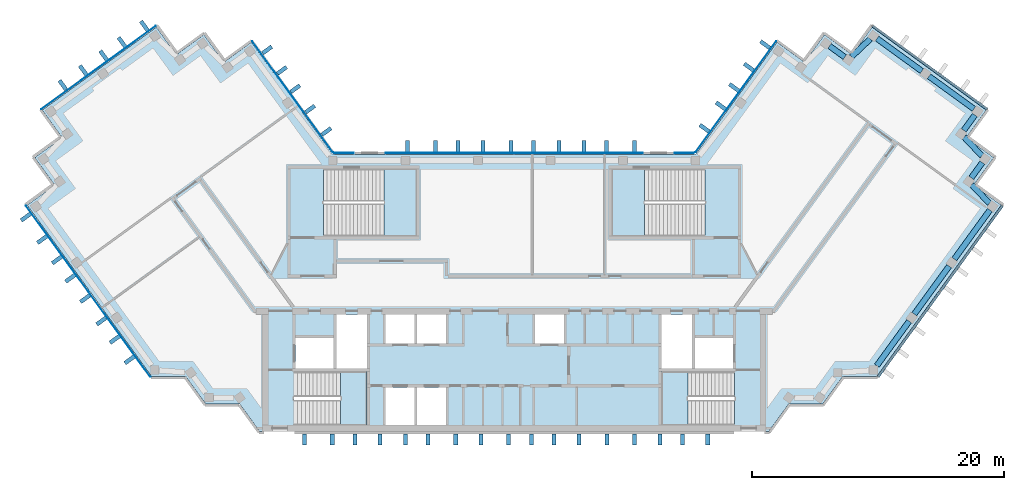
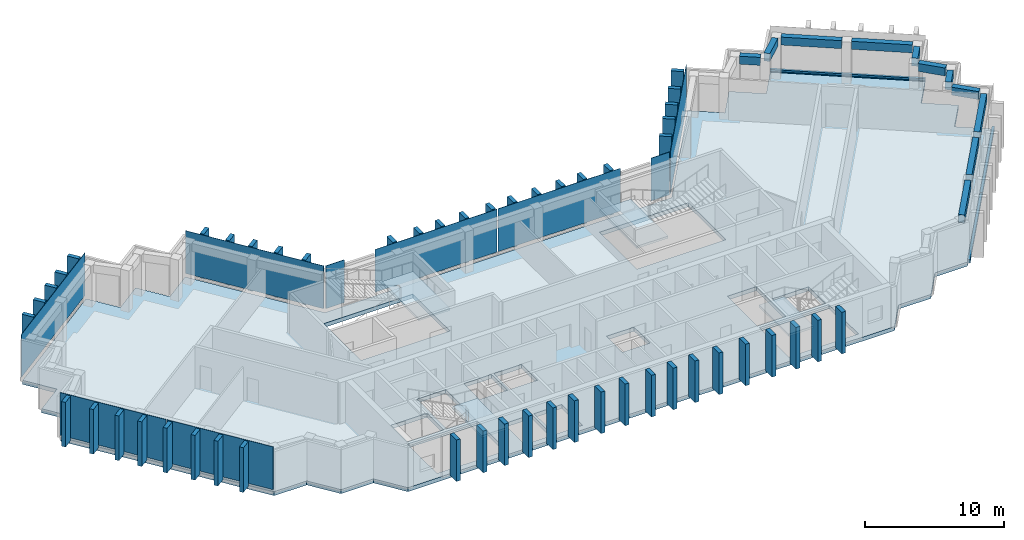
"""IFC4 building model written with IfcOpenShell, lengths in metres."""

from ifc_helpers import new_model, si_unit, direction, frame, origin, origin_2d, place, context, subcontext, project, spatial, polyline, rectangle, outline, extrude, material, layer, layer_set, material_profile, profile_set, type_object, element, aggregate, save


model = new_model("IFC4")

# Units and contexts
model_context = context("Model", 3, precision=1e-05, world=origin(), true_north=direction((0.0, 1.0)))
body_context = subcontext(model_context, "Body", "Model", "MODEL_VIEW")
ifc_project = project(units=[si_unit("LENGTHUNIT", "METRE"), si_unit("AREAUNIT", "SQUARE_METRE"), si_unit("VOLUMEUNIT", "CUBIC_METRE"), si_unit("PLANEANGLEUNIT", "RADIAN"), si_unit("MASSUNIT", "GRAM", prefix="KILO")], contexts=[model_context])

# Site, building, storey
site_placement = place(None, origin())
site = spatial("IfcSite", under=ifc_project, at=site_placement, CompositionType="ELEMENT")
building_placement = place(site_placement, origin())
building = spatial("IfcBuilding", under=site, at=building_placement, Name="Quipu Civic Tower", CompositionType="ELEMENT")
storey_1_placement = place(building_placement, frame((0.0, 0.0, 293.0)))
storey_1 = spatial("IfcBuildingStorey", under=building, at=storey_1_placement, Name="L68", CompositionType="ELEMENT", Elevation=293.0)

# Beams
ifc_material_1 = material(Name="Concrete C50/60", Category="concrete")
ifc_material_profile_1 = material_profile(ifc_material_1, rectangle(XDim=0.449951171875, YDim=0.699951171875, at=origin_2d()), Name="RC450x700")
ifc_profile_set_1 = profile_set([ifc_material_profile_1], Name="Concrete C50/60")
beam_type = type_object("IfcBeamType", Name="Spandrel beam RC 450x700 C50/60", PredefinedType="SPANDREL", material=ifc_profile_set_1)
beam_1_placement = place(storey_1_placement, frame((28.779296875, -5.780029296875, 3.300048828125), z_axis=(0.58777550284, 0.809024077677, 0.0), x_axis=(-0.809024077677, 0.58777550284, 0.0)))
element("IfcBeam", 1, at=beam_1_placement, inside=storey_1, type_object=beam_type, Name="Spandrel beam L68 J-Eo.4 to E-OUT-01", PredefinedType="SPANDREL", context=body_context, shape_type="SweptSolid", body=[
    extrude(rectangle(XDim=0.449951171875, YDim=0.699951171875, at=origin_2d()), origin(), (0.0, 0.0, 1.0), 4.36083984375),
])
beam_2_placement = place(storey_1_placement, frame((31.75390625, -1.685546875, 3.300048828125), z_axis=(0.587788656305, 0.809014521204, 0.0), x_axis=(-0.809014521204, 0.587788656305, 0.0)))
element("IfcBeam", 2, at=beam_2_placement, inside=storey_1, type_object=beam_type, Name="Spandrel beam L68 E-OUT-01 to E-OUT-02", PredefinedType="SPANDREL", context=body_context, shape_type="SweptSolid", body=[
    extrude(rectangle(XDim=0.449951171875, YDim=0.699951171875, at=origin_2d()), origin(), (0.0, 0.0, 1.0), 4.7001953125),
])
beam_3_placement = place(storey_1_placement, frame((34.927978515625, 2.68310546875, 3.300048828125), z_axis=(0.587905928359, 0.808929304328, 0.0), x_axis=(-0.808929304328, 0.587905928359, 0.0)))
element("IfcBeam", 3, at=beam_3_placement, inside=storey_1, type_object=beam_type, Name="Spandrel beam L68 E-OUT-02 to T-Eo.0-E22", PredefinedType="SPANDREL", context=body_context, shape_type="SweptSolid", body=[
    extrude(rectangle(XDim=0.449951171875, YDim=0.699951171875, at=origin_2d()), origin(), (0.0, 0.0, 1.0), 4.80712890625),
])
beam_4_placement = place(storey_1_placement, frame((37.71484375, 7.11279296875, 3.300048828125), z_axis=(-0.689175330605, 0.724594620244, 0.0), x_axis=(-0.724594620244, -0.689175330605, 0.0)))
element("IfcBeam", 4, at=beam_4_placement, inside=storey_1, type_object=beam_type, Name="Spandrel beam L68 T-Eo.0-E22 to T-Eo.1-E22", PredefinedType="SPANDREL", context=body_context, shape_type="SweptSolid", body=[
    extrude(rectangle(XDim=0.449951171875, YDim=0.699951171875, at=origin_2d()), origin(), (0.0, 0.0, 1.0), 2.033447265625),
])
beam_5_placement = place(storey_1_placement, frame((36.273681640625, 9.12744140625, 3.300048828125), z_axis=(0.587164895097, 0.809467347066, 0.0), x_axis=(-0.809467347066, 0.587164895097, 0.0)))
element("IfcBeam", 5, at=beam_5_placement, inside=storey_1, type_object=beam_type, Name="Spandrel beam L68 T-Eo.1-E22 to T-Eo.2-E22", PredefinedType="SPANDREL", context=body_context, shape_type="SweptSolid", body=[
    extrude(rectangle(XDim=0.449951171875, YDim=0.699951171875, at=origin_2d()), origin(), (0.0, 0.0, 1.0), 1.500244140625),
])
beam_6_placement = place(storey_1_placement, frame((37.114990234375, 10.88330078125, 3.300048828125), z_axis=(-0.688247466856, 0.725475998477, 0.0), x_axis=(-0.725475998477, -0.688247466856, 0.0)))
element("IfcBeam", 6, at=beam_6_placement, inside=storey_1, type_object=beam_type, Name="Spandrel beam L68 T-Eo.2-E22 to T-Eo.3-E22", PredefinedType="SPANDREL", context=body_context, shape_type="SweptSolid", body=[
    extrude(rectangle(XDim=0.449951171875, YDim=0.699951171875, at=origin_2d()), origin(), (0.0, 0.0, 1.0), 2.032958984375),
])
beam_7_placement = place(storey_1_placement, frame((35.6767578125, 12.8994140625, 3.300048828125), z_axis=(0.588345920092, 0.808609348394, 0.0), x_axis=(-0.808609348394, 0.588345920092, 0.0)))
element("IfcBeam", 7, at=beam_7_placement, inside=storey_1, type_object=beam_type, Name="Spandrel beam L68 T-Eo.3-E22 to T-Eo.4-E22", PredefinedType="SPANDREL", context=body_context, shape_type="SweptSolid", body=[
    extrude(rectangle(XDim=0.449951171875, YDim=0.699951171875, at=origin_2d()), origin(), (0.0, 0.0, 1.0), 1.499755859375),
])
beam_8_placement = place(storey_1_placement, frame((36.481689453125, 14.6005859375, 3.300048828125), z_axis=(-0.809117270763, 0.587647208921, 0.0), x_axis=(-0.587647208921, -0.809117270763, 0.0)))
element("IfcBeam", 8, at=beam_8_placement, inside=storey_1, type_object=beam_type, Name="Spandrel beam L68 T-Eo.4-E22 to TIP-E-01-E22", PredefinedType="SPANDREL", context=body_context, shape_type="SweptSolid", body=[
    extrude(rectangle(XDim=0.449951171875, YDim=0.699951171875, at=origin_2d()), origin(), (0.0, 0.0, 1.0), 4.40185546875),
])
beam_9_placement = place(storey_1_placement, frame((32.353759765625, 17.5986328125, 3.300048828125), z_axis=(-0.809146152767, 0.587607439931, 0.0), x_axis=(-0.587607439931, -0.809146152767, 0.0)))
element("IfcBeam", 9, at=beam_9_placement, inside=storey_1, type_object=beam_type, Name="Spandrel beam L68 TIP-E-01-E22 to T-Ei.0-E22", PredefinedType="SPANDREL", context=body_context, shape_type="SweptSolid", body=[
    extrude(rectangle(XDim=0.449951171875, YDim=0.699951171875, at=origin_2d()), origin(), (0.0, 0.0, 1.0), 4.400390625),
])
beam_10_placement = place(storey_1_placement, frame((28.251708984375, 20.14501953125, 3.300048828125), z_axis=(-0.725359138958, -0.688370626574, 0.0), x_axis=(0.688370626574, -0.725359138958, 0.0)))
element("IfcBeam", 10, at=beam_10_placement, inside=storey_1, type_object=beam_type, Name="Spandrel beam L68 T-Ei.0-E22 to T-Ei.1-E22", PredefinedType="SPANDREL", context=body_context, shape_type="SweptSolid", body=[
    extrude(rectangle(XDim=0.449951171875, YDim=0.699951171875, at=origin_2d()), origin(), (0.0, 0.0, 1.0), 2.032958984375),
])
beam_11_placement = place(storey_1_placement, frame((26.236083984375, 18.70654296875, 3.300048828125), z_axis=(-0.808644589435, 0.588297482553, 0.0), x_axis=(-0.588297482553, -0.808644589435, 0.0)))
element("IfcBeam", 11, at=beam_11_placement, inside=storey_1, type_object=beam_type, Name="Spandrel beam L68 T-Ei.1-E22 to T-Ei.2-E22", PredefinedType="SPANDREL", context=body_context, shape_type="SweptSolid", body=[
    extrude(rectangle(XDim=0.449951171875, YDim=0.699951171875, at=origin_2d()), origin(), (0.0, 0.0, 1.0), 1.500244140625),
])

# Storey
storey_2_placement = place(building_placement, frame((0.0, 0.0, 285.0)))
storey_2 = spatial("IfcBuildingStorey", under=building, at=storey_2_placement, Name="L66", CompositionType="ELEMENT", Elevation=285.0)

# Curtain wall, members
ifc_material_2 = material(Name="Insulated glass unit", Category="glass")
curtain_wall_type = type_object("IfcCurtainWallType", Name="Office curtain wall CW1", PredefinedType="NOTDEFINED", material=ifc_material_2)
curtain_wall_1_placement = place(storey_2_placement, origin())
curtain_wall_1 = element("IfcCurtainWall", 12, at=curtain_wall_1_placement, inside=storey_2, type_object=curtain_wall_type, Name="Office curtain wall CW1 L65 run 23", PredefinedType="NOTDEFINED")
ifc_material_3 = material(Name="Anodised aluminium", Category="aluminium")
ifc_material_profile_2 = material_profile(ifc_material_3, rectangle(XDim=0.199951171875, YDim=0.159912109375, at=origin_2d()), Name="RECT 200x160")
ifc_profile_set_2 = profile_set([ifc_material_profile_2], Name="Anodised aluminium")
member_type = type_object("IfcMemberType", Name="Transom CW1", PredefinedType="USERDEFINED", material=ifc_profile_set_2)
member_1_placement = place(storey_1_placement, frame((28.876708984375, -6.66650390625, 0.0), z_axis=(0.587812107925, 0.808997481935, 0.0), x_axis=(-0.808997481935, 0.587812107925, 0.0)))
member_1 = element("IfcMember", 13, at=member_1_placement, inside=storey_1, type_object=member_type, Name="CW1 transom 1.4", ObjectType="TRANSOM", PredefinedType="USERDEFINED", context=body_context, shape_type="SweptSolid", body=[
    extrude(rectangle(XDim=0.199951171875, YDim=0.159912109375, at=origin_2d()), origin(), (0.0, 0.0, 1.0), 8.35791015625),
])
member_2_placement = place(storey_1_placement, frame((33.83642578125, 0.15966796875, 0.0), z_axis=(0.587779098815, 0.809021465102, 0.0), x_axis=(-0.809021465102, 0.587779098815, 0.0)))
member_2 = element("IfcMember", 14, at=member_2_placement, inside=storey_1, type_object=member_type, Name="CW1 transom 2.4", ObjectType="TRANSOM", PredefinedType="USERDEFINED", context=body_context, shape_type="SweptSolid", body=[
    extrude(rectangle(XDim=0.199951171875, YDim=0.159912109375, at=origin_2d()), origin(), (0.0, 0.0, 1.0), 8.35791015625),
])
aggregate(curtain_wall_1, [member_1, member_2])

# Curtain wall, member
curtain_wall_2_placement = place(storey_2_placement, origin())
curtain_wall_2 = element("IfcCurtainWall", 15, at=curtain_wall_2_placement, inside=storey_2, type_object=curtain_wall_type, Name="Office curtain wall CW1 L65 run 28", PredefinedType="NOTDEFINED")
member_3_placement = place(storey_1_placement, frame((37.536865234375, 14.575927734375, 0.0), z_axis=(-0.809022463805, 0.587777724194, 0.0), x_axis=(-0.587777724194, -0.809022463805, 0.0)))
member_3 = element("IfcMember", 16, at=member_3_placement, inside=storey_1, type_object=member_type, Name="CW1 transom 1.4", ObjectType="TRANSOM", PredefinedType="USERDEFINED", context=body_context, shape_type="SweptSolid", body=[
    extrude(rectangle(XDim=0.199951171875, YDim=0.159912109375, at=origin_2d()), origin(), (0.0, 0.0, 1.0), 11.240234375),
])
aggregate(curtain_wall_2, [member_3])

# Storey
storey_3_placement = place(building_placement, frame((0.0, 0.0, 297.0)))
storey_3 = spatial("IfcBuildingStorey", under=building, at=storey_3_placement, Name="L69", CompositionType="ELEMENT", Elevation=297.0)

# Curtain wall, members
curtain_wall_3_placement = place(storey_3_placement, origin())
curtain_wall_3 = element("IfcCurtainWall", 17, at=curtain_wall_3_placement, inside=storey_3, type_object=curtain_wall_type, Name="Office curtain wall CW1 L68 run 23", PredefinedType="NOTDEFINED")
member_4_placement = place(storey_1_placement, frame((28.876708984375, -6.66650390625, 0.159912109375), z_axis=(0.587812107925, 0.808997481935, 0.0), x_axis=(-0.808997481935, 0.587812107925, 0.0)))
member_4 = element("IfcMember", 18, at=member_4_placement, inside=storey_1, type_object=member_type, Name="CW1 transom 1.1", ObjectType="TRANSOM", PredefinedType="USERDEFINED", context=body_context, shape_type="SweptSolid", body=[
    extrude(rectangle(XDim=0.199951171875, YDim=0.159912109375, at=origin_2d()), origin(), (0.0, 0.0, 1.0), 8.35791015625),
])
member_5_placement = place(storey_1_placement, frame((33.83642578125, 0.15966796875, 0.159912109375), z_axis=(0.587779098815, 0.809021465102, 0.0), x_axis=(-0.809021465102, 0.587779098815, 0.0)))
member_5 = element("IfcMember", 19, at=member_5_placement, inside=storey_1, type_object=member_type, Name="CW1 transom 2.1", ObjectType="TRANSOM", PredefinedType="USERDEFINED", context=body_context, shape_type="SweptSolid", body=[
    extrude(rectangle(XDim=0.199951171875, YDim=0.159912109375, at=origin_2d()), origin(), (0.0, 0.0, 1.0), 8.35791015625),
])
aggregate(curtain_wall_3, [member_4, member_5])

# Curtain wall, member
curtain_wall_4_placement = place(storey_3_placement, origin())
curtain_wall_4 = element("IfcCurtainWall", 20, at=curtain_wall_4_placement, inside=storey_3, type_object=curtain_wall_type, Name="Office curtain wall CW1 L68 run 28", PredefinedType="NOTDEFINED")
member_6_placement = place(storey_1_placement, frame((37.536865234375, 14.575927734375, 0.159912109375), z_axis=(-0.809022463805, 0.587777724194, 0.0), x_axis=(-0.587777724194, -0.809022463805, 0.0)))
member_6 = element("IfcMember", 21, at=member_6_placement, inside=storey_1, type_object=member_type, Name="CW1 transom 1.1", ObjectType="TRANSOM", PredefinedType="USERDEFINED", context=body_context, shape_type="SweptSolid", body=[
    extrude(rectangle(XDim=0.199951171875, YDim=0.159912109375, at=origin_2d()), origin(), (0.0, 0.0, 1.0), 11.240234375),
])
aggregate(curtain_wall_4, [member_6])

# Slab
ifc_material_4 = material(Name="Concrete C40/50", Category="concrete")
ifc_layer_1 = layer(ifc_material_4, 0.35009765625)
ifc_layer_set_1 = layer_set([ifc_layer_1], Name="Concrete C40/50")
slab_type_1 = type_object("IfcSlabType", Name="Floor slab 350 C40/50", PredefinedType="FLOOR", material=ifc_layer_set_1)
slab_1_placement = place(storey_1_placement, frame((0.0, 0.0, -0.35009765625)))
element("IfcSlab", 22, at=slab_1_placement, inside=storey_1, type_object=slab_type_1, Name="Floor slab L68", PredefinedType="FLOOR", context=body_context, shape_type="SweptSolid", body=[
    extrude(outline(polyline([(20.860107421875, 19.89501953125), (23.0400390625, 18.31005859375), (24.6298828125, 20.4951171875), (26.81494140625, 18.905029296875), (28.39990234375, 21.090087890625), (37.4599609375, 14.5048828125), (35.875, 12.320068359375), (38.06005859375, 10.735107421875), (36.469970703125, 8.550048828125), (38.655029296875, 6.965087890625), (28.780029296875, -6.6298828125), (26.080078125, -6.6298828125), (24.489990234375, -8.81494140625), (21.7900390625, -8.81494140625), (20.205078125, -11.0), (-20.205078125, -11.0), (-21.7900390625, -8.81494140625), (-24.489990234375, -8.81494140625), (-26.080078125, -6.6298828125), (-28.780029296875, -6.6298828125), (-38.655029296875, 6.965087890625), (-36.469970703125, 8.550048828125), (-38.06005859375, 10.735107421875), (-35.875, 12.320068359375), (-37.4599609375, 14.5048828125), (-28.39990234375, 21.090087890625), (-26.81494140625, 18.905029296875), (-24.6298828125, 20.4951171875), (-23.0400390625, 18.31005859375), (-20.860107421875, 19.89501953125), (-14.39501953125, 11.0), (14.39501953125, 11.0), (20.860107421875, 19.89501953125)]), holes=[polyline([(-10.199951171875, -10.5), (-7.89990234375, -10.5), (-7.89990234375, -7.5), (-10.199951171875, -7.5), (-10.199951171875, -10.5)]), polyline([(-7.699951171875, -7.5), (-7.699951171875, -10.5), (-5.39990234375, -10.5), (-5.39990234375, -7.5), (-7.699951171875, -7.5)]), polyline([(-11.705078125, -6.2548828125), (-17.4951171875, -6.2548828125), (-17.4951171875, -10.4951171875), (-11.705078125, -10.4951171875), (-11.705078125, -6.2548828125)]), polyline([(-17.35009765625, -6.0), (-14.35009765625, -6.0), (-14.35009765625, -3.60009765625), (-17.35009765625, -3.60009765625), (-17.35009765625, -6.0)]), polyline([(-14.10009765625, -1.699951171875), (-14.10009765625, -6.0), (-11.699951171875, -6.0), (-11.699951171875, -1.699951171875), (-14.10009765625, -1.699951171875)]), polyline([(-10.199951171875, -1.699951171875), (-10.199951171875, -4.0), (-7.89990234375, -4.0), (-7.89990234375, -1.699951171875), (-10.199951171875, -1.699951171875)]), polyline([(-15.14501953125, 9.844970703125), (-15.14501953125, 4.5048828125), (-7.7548828125, 4.5048828125), (-7.7548828125, 9.844970703125), (-15.14501953125, 9.844970703125)]), polyline([(11.705078125, -10.4951171875), (17.4951171875, -10.4951171875), (17.4951171875, -6.2548828125), (11.705078125, -6.2548828125), (11.705078125, -10.4951171875)]), polyline([(14.35009765625, -3.60009765625), (14.35009765625, -6.0), (17.35009765625, -6.0), (17.35009765625, -3.60009765625), (14.35009765625, -3.60009765625)]), polyline([(11.699951171875, -1.699951171875), (11.699951171875, -6.0), (14.10009765625, -6.0), (14.10009765625, -1.699951171875), (11.699951171875, -1.699951171875)]), polyline([(-7.699951171875, -1.699951171875), (-7.699951171875, -4.0), (-5.39990234375, -4.0), (-5.39990234375, -1.699951171875), (-7.699951171875, -1.699951171875)]), polyline([(1.64990234375, -1.699951171875), (1.64990234375, -4.0), (3.949951171875, -4.0), (3.949951171875, -1.699951171875), (1.64990234375, -1.699951171875)]), polyline([(7.7548828125, 4.5048828125), (15.14501953125, 4.5048828125), (15.14501953125, 9.844970703125), (7.7548828125, 9.844970703125), (7.7548828125, 4.5048828125)])]), origin(), (0.0, 0.0, 1.0), 0.35009765625),
])

# Curtain wall, plate
curtain_wall_5_placement = place(storey_3_placement, origin())
curtain_wall_5 = element("IfcCurtainWall", 23, at=curtain_wall_5_placement, inside=storey_3, type_object=curtain_wall_type, Name="Office curtain wall CW1 L68 run 1", PredefinedType="NOTDEFINED")
ifc_material_5 = material(Name="Insulated glass unit", Category="glass")
ifc_layer_2 = layer(ifc_material_5, 0.028076171875)
ifc_layer_set_2 = layer_set([ifc_layer_2], Name="Insulated glass unit")
plate_type_1 = type_object("IfcPlateType", Name="Glass panel CW1", PredefinedType="CURTAIN_PANEL", material=ifc_layer_set_2)
plate_1_placement = place(storey_1_placement, frame((-17.590087890625, 15.5673828125, 0.240234375), z_axis=(0.0, 0.0, 1.0), x_axis=(-0.587787771652, 0.809015163947, 0.0)))
plate_1 = element("IfcPlate", 24, at=plate_1_placement, inside=storey_1, type_object=plate_type_1, Name="CW1 panel 1.1", PredefinedType="CURTAIN_PANEL", context=body_context, shape_type="SweptSolid", body=[
    extrude(rectangle(XDim=10.88427734375, YDim=0.028076171875, at=origin_2d()), origin(), (0.0, 0.0, 1.0), 3.760009765625),
])
aggregate(curtain_wall_5, [plate_1])

curtain_wall_6_placement = place(storey_3_placement, origin())
curtain_wall_6 = element("IfcCurtainWall", 25, at=curtain_wall_6_placement, inside=storey_3, type_object=curtain_wall_type, Name="Office curtain wall CW1 L68 run 6", PredefinedType="NOTDEFINED")
plate_2_placement = place(storey_1_placement, frame((-32.989990234375, 17.87939453125, 0.240234375), z_axis=(0.0, 0.0, 1.0), x_axis=(-0.809015176832, -0.587787753918, 0.0)))
plate_2 = element("IfcPlate", 26, at=plate_2_placement, inside=storey_1, type_object=plate_type_1, Name="CW1 panel 1.1", PredefinedType="CURTAIN_PANEL", context=body_context, shape_type="SweptSolid", body=[
    extrude(rectangle(XDim=11.239990234375, YDim=0.028076171875, at=origin_2d()), origin(), (0.0, 0.0, 1.0), 3.760009765625),
])
aggregate(curtain_wall_6, [plate_2])

# Curtain wall, plates
curtain_wall_7_placement = place(storey_3_placement, origin())
curtain_wall_7 = element("IfcCurtainWall", 27, at=curtain_wall_7_placement, inside=storey_3, type_object=curtain_wall_type, Name="Office curtain wall CW1 L68 run 11", PredefinedType="NOTDEFINED")
plate_3_placement = place(storey_1_placement, frame((-36.292724609375, 3.54052734375, 0.240234375), z_axis=(0.0, 0.0, 1.0), x_axis=(0.587786237643, -0.809016278475, 0.0)))
plate_3 = element("IfcPlate", 28, at=plate_3_placement, inside=storey_1, type_object=plate_type_1, Name="CW1 panel 1.1", PredefinedType="CURTAIN_PANEL", context=body_context, shape_type="SweptSolid", body=[
    extrude(rectangle(XDim=8.35791015625, YDim=0.028076171875, at=origin_2d()), origin(), (0.0, 0.0, 1.0), 3.760009765625),
])
plate_4_placement = place(storey_1_placement, frame((-31.333251953125, -3.285888671875, 0.240234375), z_axis=(0.0, 0.0, 1.0), x_axis=(0.587786237643, -0.809016278475, 0.0)))
plate_4 = element("IfcPlate", 29, at=plate_4_placement, inside=storey_1, type_object=plate_type_1, Name="CW1 panel 2.1", PredefinedType="CURTAIN_PANEL", context=body_context, shape_type="SweptSolid", body=[
    extrude(rectangle(XDim=8.35791015625, YDim=0.028076171875, at=origin_2d()), origin(), (0.0, 0.0, 1.0), 3.760009765625),
])
aggregate(curtain_wall_7, [plate_3, plate_4])

# Curtain wall, plate
curtain_wall_8_placement = place(storey_3_placement, origin())
curtain_wall_8 = element("IfcCurtainWall", 30, at=curtain_wall_8_placement, inside=storey_3, type_object=curtain_wall_type, Name="Office curtain wall CW1 L68 run 33", PredefinedType="NOTDEFINED")
plate_5_placement = place(storey_1_placement, frame((17.590087890625, 15.5673828125, 0.240234375), z_axis=(0.0, 0.0, 1.0), x_axis=(-0.587787771652, -0.809015163947, 0.0)))
plate_5 = element("IfcPlate", 31, at=plate_5_placement, inside=storey_1, type_object=plate_type_1, Name="CW1 panel 1.1", PredefinedType="CURTAIN_PANEL", context=body_context, shape_type="SweptSolid", body=[
    extrude(rectangle(XDim=10.88427734375, YDim=0.028076171875, at=origin_2d()), origin(), (0.0, 0.0, 1.0), 3.760009765625),
])
aggregate(curtain_wall_8, [plate_5])

curtain_wall_9_placement = place(storey_3_placement, origin())
curtain_wall_9 = element("IfcCurtainWall", 32, at=curtain_wall_9_placement, inside=storey_3, type_object=curtain_wall_type, Name="Office curtain wall CW1 L68 run 34", PredefinedType="NOTDEFINED")
plate_6_placement = place(storey_1_placement, frame((13.49951171875, 11.10009765625, 0.240234375), z_axis=(0.0, 0.0, 1.0), x_axis=(-1.0, 0.0, 0.0)))
plate_6 = element("IfcPlate", 33, at=plate_6_placement, inside=storey_1, type_object=plate_type_1, Name="CW1 panel 1.1", PredefinedType="CURTAIN_PANEL", context=body_context, shape_type="SweptSolid", body=[
    extrude(rectangle(XDim=1.529296875, YDim=0.028076171875, at=origin_2d()), origin(), (0.0, 0.0, 1.0), 3.760009765625),
])
aggregate(curtain_wall_9, [plate_6])

# Curtain wall, plates
curtain_wall_10_placement = place(storey_3_placement, origin())
curtain_wall_10 = element("IfcCurtainWall", 34, at=curtain_wall_10_placement, inside=storey_3, type_object=curtain_wall_type, Name="Office curtain wall CW1 L68 run 36", PredefinedType="NOTDEFINED")
plate_7_placement = place(storey_1_placement, frame((5.11181640625, 11.10009765625, 0.240234375), z_axis=(0.0, 0.0, 1.0), x_axis=(-1.0, 0.0, 0.0)))
plate_7 = element("IfcPlate", 35, at=plate_7_placement, inside=storey_1, type_object=plate_type_1, Name="CW1 panel 1.1", PredefinedType="CURTAIN_PANEL", context=body_context, shape_type="SweptSolid", body=[
    extrude(rectangle(XDim=10.1435546875, YDim=0.028076171875, at=origin_2d()), origin(), (0.0, 0.0, 1.0), 3.760009765625),
])
plate_8_placement = place(storey_1_placement, frame((-5.11181640625, 11.10009765625, 0.240234375), z_axis=(0.0, 0.0, 1.0), x_axis=(-1.0, 0.0, 0.0)))
plate_8 = element("IfcPlate", 36, at=plate_8_placement, inside=storey_1, type_object=plate_type_1, Name="CW1 panel 2.1", PredefinedType="CURTAIN_PANEL", context=body_context, shape_type="SweptSolid", body=[
    extrude(rectangle(XDim=10.1435546875, YDim=0.028076171875, at=origin_2d()), origin(), (0.0, 0.0, 1.0), 3.760009765625),
])
aggregate(curtain_wall_10, [plate_7, plate_8])

# Curtain wall, plate
curtain_wall_11_placement = place(storey_3_placement, origin())
curtain_wall_11 = element("IfcCurtainWall", 37, at=curtain_wall_11_placement, inside=storey_3, type_object=curtain_wall_type, Name="Office curtain wall CW1 L68 run 38", PredefinedType="NOTDEFINED")
plate_9_placement = place(storey_1_placement, frame((-13.49951171875, 11.10009765625, 0.240234375), z_axis=(0.0, 0.0, 1.0), x_axis=(-1.0, 0.0, 0.0)))
plate_9 = element("IfcPlate", 38, at=plate_9_placement, inside=storey_1, type_object=plate_type_1, Name="CW1 panel 1.1", PredefinedType="CURTAIN_PANEL", context=body_context, shape_type="SweptSolid", body=[
    extrude(rectangle(XDim=1.529296875, YDim=0.028076171875, at=origin_2d()), origin(), (0.0, 0.0, 1.0), 3.760009765625),
])
aggregate(curtain_wall_11, [plate_9])

# Plates
ifc_material_6 = material(Name="Precast concrete C40/50", Category="concrete")
plate_type_2 = type_object("IfcPlateType", Name="Precast fin F3", PredefinedType="SHEET", material=ifc_material_6)
for number, where, z_axis, x_axis, name in (
    (39, (-14.90380859375, 12.805908203125, 0.080078125), (0.0, 0.0, 1.0), (-0.58778443384, 0.809017589015, 0.0), "Precast fin F3 L68.1.1"),
    (40, (-16.197021484375, 14.585693359375, 0.080078125), (0.0, 0.0, 1.0), (-0.58778443384, 0.809017589015, 0.0), "Precast fin F3 L68.1.2"),
    (41, (-17.37255859375, 16.203857421875, 0.080078125), (0.0, 0.0, 1.0), (-0.58778443384, 0.809017589015, 0.0), "Precast fin F3 L68.1.3"),
    (42, (-18.4306640625, 17.66015625, 0.080078125), (0.0, 0.0, 1.0), (-0.58778443384, 0.809017589015, 0.0), "Precast fin F3 L68.1.4"),
    (43, (-19.606201171875, 19.278076171875, 0.080078125), (0.0, 0.0, 1.0), (-0.58778443384, 0.809017589015, 0.0), "Precast fin F3 L68.1.5"),
    (44, (-29.357177734375, 21.198486328125, 0.080078125), (0.0, 0.0, 1.0), (-0.809017072762, -0.587785144401, 0.0), "Precast fin F3 L68.6.1"),
    (45, (-31.13720703125, 19.905517578125, 0.080078125), (0.0, 0.0, 1.0), (-0.809017072762, -0.587785144401, 0.0), "Precast fin F3 L68.6.2"),
    (46, (-32.59326171875, 18.847412109375, 0.080078125), (0.0, 0.0, 1.0), (-0.809017072762, -0.587785144401, 0.0), "Precast fin F3 L68.6.3"),
    (47, (-34.21142578125, 17.671875, 0.080078125), (0.0, 0.0, 1.0), (-0.809017072762, -0.587785144401, 0.0), "Precast fin F3 L68.6.4"),
    (48, (-35.829345703125, 16.496337890625, 0.080078125), (0.0, 0.0, 1.0), (-0.809017072762, -0.587785144401, 0.0), "Precast fin F3 L68.6.5"),
    (49, (-38.764892578125, 6.007568359375, 0.080078125), (0.0, 0.0, 1.0), (0.587786668783, -0.809015965233, 0.0), "Precast fin F3 L68.11.1"),
    (50, (-37.4716796875, 4.227783203125, 0.080078125), (0.0, 0.0, 1.0), (0.587786668783, -0.809015965233, 0.0), "Precast fin F3 L68.11.2"),
    (51, (-36.296142578125, 2.609619140625, 0.080078125), (0.0, 0.0, 1.0), (0.587786668783, -0.809015965233, 0.0), "Precast fin F3 L68.11.3"),
    (52, (-35.23828125, 1.1533203125, 0.080078125), (0.0, 0.0, 1.0), (0.587786668783, -0.809015965233, 0.0), "Precast fin F3 L68.11.4"),
    (53, (-34.062744140625, -0.464599609375, 0.080078125), (0.0, 0.0, 1.0), (0.587786668783, -0.809015965233, 0.0), "Precast fin F3 L68.11.5"),
    (54, (-32.76953125, -2.244384765625, 0.080078125), (0.0, 0.0, 1.0), (0.587786668783, -0.809015965233, 0.0), "Precast fin F3 L68.11.6"),
    (55, (-31.71142578125, -3.70068359375, 0.080078125), (0.0, 0.0, 1.0), (0.587786668783, -0.809015965233, 0.0), "Precast fin F3 L68.11.7"),
    (56, (-30.535888671875, -5.318603515625, 0.080078125), (0.0, 0.0, 1.0), (0.587786668783, -0.809015965233, 0.0), "Precast fin F3 L68.11.8"),
):
    element("IfcPlate", number, at=place(storey_1_placement, frame(where, z_axis=z_axis, x_axis=x_axis)), inside=storey_1, type_object=plate_type_2, Name=name, PredefinedType="SHEET", context=body_context, shape_type="SweptSolid", body=[
        extrude(rectangle(XDim=0.320068359375, YDim=0.89990234375, at=origin_2d()), origin(), (0.0, 0.0, 1.0), 3.919921875),
    ])
for number, where, z_axis, x_axis, name in (
    (57, (-16.639892578125, -11.637939453125, 0.0), (0.0, 0.0, 1.0), (1.0, 0.0, 0.0), "Precast fin F3 L68.17.1"),
    (58, (-14.43994140625, -11.637939453125, 0.0), (0.0, 0.0, 1.0), (1.0, 0.0, 0.0), "Precast fin F3 L68.17.2"),
    (59, (-12.639892578125, -11.637939453125, 0.0), (0.0, 0.0, 1.0), (1.0, 0.0, 0.0), "Precast fin F3 L68.17.3"),
    (60, (-10.639892578125, -11.637939453125, 0.0), (0.0, 0.0, 1.0), (1.0, 0.0, 0.0), "Precast fin F3 L68.17.4"),
    (61, (-8.639892578125, -11.637939453125, 0.0), (0.0, 0.0, 1.0), (1.0, 0.0, 0.0), "Precast fin F3 L68.17.5"),
    (62, (-6.840087890625, -11.637939453125, 0.0), (0.0, 0.0, 1.0), (1.0, 0.0, 0.0), "Precast fin F3 L68.17.6"),
    (63, (-4.639892578125, -11.637939453125, 0.0), (0.0, 0.0, 1.0), (1.0, 0.0, 0.0), "Precast fin F3 L68.17.7"),
    (64, (-2.639892578125, -11.637939453125, 0.0), (0.0, 0.0, 1.0), (1.0, 0.0, 0.0), "Precast fin F3 L68.17.8"),
    (65, (-0.43994140625, -11.637939453125, 0.0), (0.0, 0.0, 1.0), (1.0, 0.0, 0.0), "Precast fin F3 L68.17.9"),
    (66, (1.360107421875, -11.637939453125, 0.0), (0.0, 0.0, 1.0), (1.0, 0.0, 0.0), "Precast fin F3 L68.17.10"),
    (67, (3.159912109375, -11.637939453125, 0.0), (0.0, 0.0, 1.0), (1.0, 0.0, 0.0), "Precast fin F3 L68.17.11"),
    (68, (5.159912109375, -11.637939453125, 0.0), (0.0, 0.0, 1.0), (1.0, 0.0, 0.0), "Precast fin F3 L68.17.12"),
    (69, (7.360107421875, -11.637939453125, 0.0), (0.0, 0.0, 1.0), (1.0, 0.0, 0.0), "Precast fin F3 L68.17.13"),
    (70, (9.56005859375, -11.637939453125, 0.0), (0.0, 0.0, 1.0), (1.0, 0.0, 0.0), "Precast fin F3 L68.17.14"),
    (71, (11.56005859375, -11.637939453125, 0.0), (0.0, 0.0, 1.0), (1.0, 0.0, 0.0), "Precast fin F3 L68.17.15"),
    (72, (13.360107421875, -11.637939453125, 0.0), (0.0, 0.0, 1.0), (1.0, 0.0, 0.0), "Precast fin F3 L68.17.16"),
    (73, (15.360107421875, -11.637939453125, 0.0), (0.0, 0.0, 1.0), (1.0, 0.0, 0.0), "Precast fin F3 L68.17.17"),
):
    element("IfcPlate", number, at=place(storey_1_placement, frame(where, z_axis=z_axis, x_axis=x_axis)), inside=storey_1, type_object=plate_type_2, Name=name, PredefinedType="SHEET", context=body_context, shape_type="SweptSolid", body=[
        extrude(rectangle(XDim=0.320068359375, YDim=0.89990234375, at=origin_2d()), origin(), (0.0, 0.0, 1.0), 3.64990234375),
    ])
for number, where, z_axis, x_axis, name in (
    (74, (19.914794921875, 19.702880859375, 0.080078125), (0.0, 0.0, 1.0), (-0.58778443384, -0.809017589015, 0.0), "Precast fin F3 L68.33.1"),
    (75, (18.62158203125, 17.923095703125, 0.080078125), (0.0, 0.0, 1.0), (-0.58778443384, -0.809017589015, 0.0), "Precast fin F3 L68.33.2"),
    (76, (17.446044921875, 16.30517578125, 0.080078125), (0.0, 0.0, 1.0), (-0.58778443384, -0.809017589015, 0.0), "Precast fin F3 L68.33.3"),
    (77, (16.38818359375, 14.848876953125, 0.080078125), (0.0, 0.0, 1.0), (-0.58778443384, -0.809017589015, 0.0), "Precast fin F3 L68.33.4"),
    (78, (15.094970703125, 13.069091796875, 0.080078125), (0.0, 0.0, 1.0), (-0.58778443384, -0.809017589015, 0.0), "Precast fin F3 L68.33.5"),
    (79, (9.5400390625, 11.64990234375, 0.080078125), (0.0, 0.0, 1.0), (-1.0, 0.0, 0.0), "Precast fin F3 L68.36.1"),
    (80, (7.340087890625, 11.64990234375, 0.080078125), (0.0, 0.0, 1.0), (-1.0, 0.0, 0.0), "Precast fin F3 L68.36.2"),
    (81, (5.5400390625, 11.64990234375, 0.080078125), (0.0, 0.0, 1.0), (-1.0, 0.0, 0.0), "Precast fin F3 L68.36.3"),
    (82, (3.5400390625, 11.64990234375, 0.080078125), (0.0, 0.0, 1.0), (-1.0, 0.0, 0.0), "Precast fin F3 L68.36.4"),
    (83, (1.5400390625, 11.64990234375, 0.080078125), (0.0, 0.0, 1.0), (-1.0, 0.0, 0.0), "Precast fin F3 L68.36.5"),
    (84, (-0.260009765625, 11.64990234375, 0.080078125), (0.0, 0.0, 1.0), (-1.0, 0.0, 0.0), "Precast fin F3 L68.36.6"),
    (85, (-2.4599609375, 11.64990234375, 0.080078125), (0.0, 0.0, 1.0), (-1.0, 0.0, 0.0), "Precast fin F3 L68.36.7"),
    (86, (-4.4599609375, 11.64990234375, 0.080078125), (0.0, 0.0, 1.0), (-1.0, 0.0, 0.0), "Precast fin F3 L68.36.8"),
    (87, (-6.260009765625, 11.64990234375, 0.080078125), (0.0, 0.0, 1.0), (-1.0, 0.0, 0.0), "Precast fin F3 L68.36.9"),
    (88, (-8.4599609375, 11.64990234375, 0.080078125), (0.0, 0.0, 1.0), (-1.0, 0.0, 0.0), "Precast fin F3 L68.36.10"),
):
    element("IfcPlate", number, at=place(storey_1_placement, frame(where, z_axis=z_axis, x_axis=x_axis)), inside=storey_1, type_object=plate_type_2, Name=name, PredefinedType="SHEET", context=body_context, shape_type="SweptSolid", body=[
        extrude(rectangle(XDim=0.320068359375, YDim=0.89990234375, at=origin_2d()), origin(), (0.0, 0.0, 1.0), 3.919921875),
    ])

# Stair, slab
ifc_material_7 = material(Name="Concrete C40/50", Category="concrete")
stair_type_1 = type_object("IfcStairType", Name="Half turn stair 2000", PredefinedType="HALF_TURN_STAIR", material=ifc_material_7)
stair_1_placement = place(storey_1_placement, origin())
stair_1 = element("IfcStair", 89, at=stair_1_placement, inside=storey_1, type_object=stair_type_1, Name="Exit stair 1", PredefinedType="HALF_TURN_STAIR")
ifc_material_8 = material(Name="Concrete C40/50", Category="concrete")
ifc_layer_3 = layer(ifc_material_8, 0.199951171875)
ifc_layer_set_3 = layer_set([ifc_layer_3], Name="Concrete C40/50")
slab_type_2 = type_object("IfcSlabType", Name="Stair landing 200", PredefinedType="LANDING", material=ifc_layer_set_3)
slab_2_placement = place(storey_1_placement, frame((0.0, 0.0, 1.800048828125)))
slab_2 = element("IfcSlab", 90, at=slab_2_placement, type_object=slab_type_2, Name="ST-1 landing 1", PredefinedType="LANDING", context=body_context, shape_type="SweptSolid", body=[
    extrude(outline(polyline([(-13.780029296875, -10.5), (-11.699951171875, -10.5), (-11.699951171875, -6.25), (-13.780029296875, -6.25), (-13.780029296875, -10.5)])), origin(), (0.0, 0.0, 1.0), 0.199951171875),
])
aggregate(stair_1, [slab_2])

stair_2_placement = place(storey_1_placement, origin())
stair_2 = element("IfcStair", 91, at=stair_2_placement, inside=storey_1, type_object=stair_type_1, Name="Exit stair 2", PredefinedType="HALF_TURN_STAIR")
slab_3_placement = place(storey_1_placement, frame((0.0, 0.0, 1.800048828125)))
slab_3 = element("IfcSlab", 92, at=slab_3_placement, type_object=slab_type_2, Name="ST-2 landing 1", PredefinedType="LANDING", context=body_context, shape_type="SweptSolid", body=[
    extrude(outline(polyline([(13.780029296875, -6.25), (11.699951171875, -6.25), (11.699951171875, -10.5), (13.780029296875, -10.5), (13.780029296875, -6.25)])), origin(), (0.0, 0.0, 1.0), 0.199951171875),
])
aggregate(stair_2, [slab_3])

ifc_material_9 = material(Name="Concrete C40/50", Category="concrete")
stair_type_2 = type_object("IfcStairType", Name="Half turn stair 2600", PredefinedType="HALF_TURN_STAIR", material=ifc_material_9)
stair_3_placement = place(storey_1_placement, origin())
stair_3 = element("IfcStair", 93, at=stair_3_placement, inside=storey_1, type_object=stair_type_2, Name="Exit stair 3", PredefinedType="HALF_TURN_STAIR")
slab_4_placement = place(storey_1_placement, frame((0.0, 0.0, 1.800048828125)))
slab_4 = element("IfcSlab", 94, at=slab_4_placement, type_object=slab_type_2, Name="ST-3 landing 1", PredefinedType="LANDING", context=body_context, shape_type="SweptSolid", body=[
    extrude(outline(polyline([(-10.35009765625, 4.5), (-7.75, 4.5), (-7.75, 9.85009765625), (-10.35009765625, 9.85009765625), (-10.35009765625, 4.5)])), origin(), (0.0, 0.0, 1.0), 0.199951171875),
])
aggregate(stair_3, [slab_4])

stair_4_placement = place(storey_1_placement, origin())
stair_4 = element("IfcStair", 95, at=stair_4_placement, inside=storey_1, type_object=stair_type_2, Name="Exit stair 4", PredefinedType="HALF_TURN_STAIR")
slab_5_placement = place(storey_1_placement, frame((0.0, 0.0, 1.800048828125)))
slab_5 = element("IfcSlab", 96, at=slab_5_placement, type_object=slab_type_2, Name="ST-4 landing 1", PredefinedType="LANDING", context=body_context, shape_type="SweptSolid", body=[
    extrude(outline(polyline([(10.35009765625, 9.85009765625), (7.75, 9.85009765625), (7.75, 4.5), (10.35009765625, 4.5), (10.35009765625, 9.85009765625)])), origin(), (0.0, 0.0, 1.0), 0.199951171875),
])
aggregate(stair_4, [slab_5])

save(model, "model.ifc")
